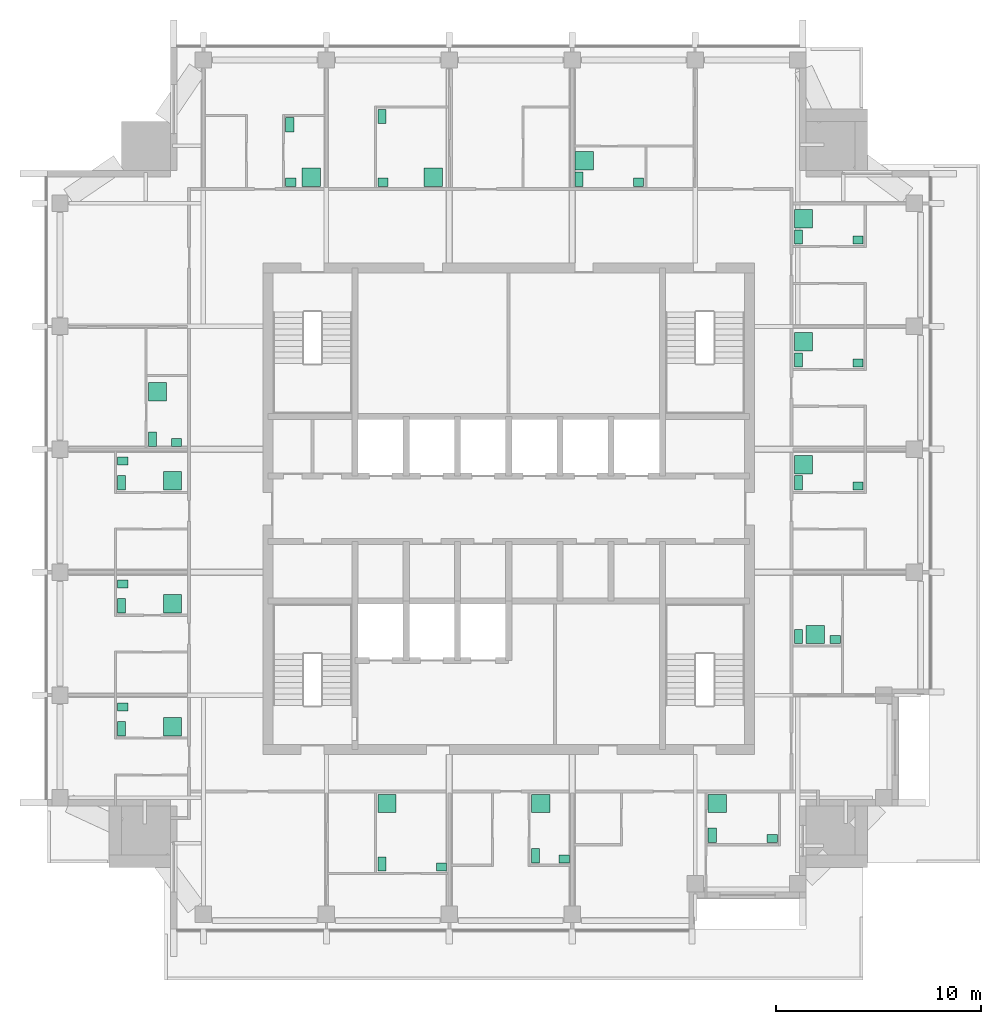
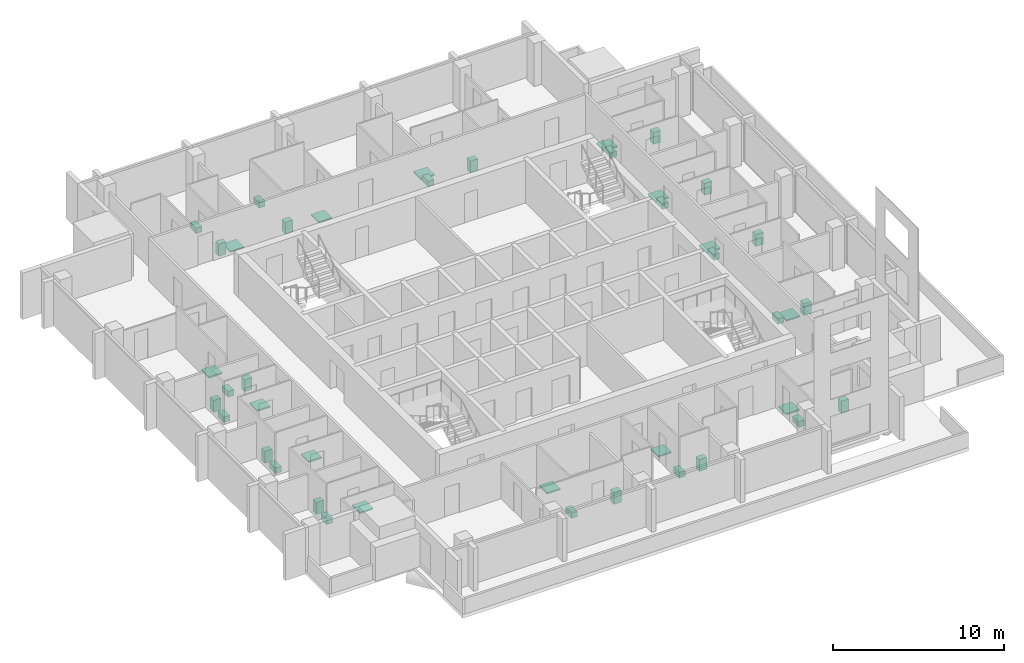
# One storey, part 11 of 11: 42 sanitary terminals.
"""IFC4 building model written with IfcOpenShell, lengths in metres."""

from ifc_helpers import new_model, si_unit, direction, frame, origin, origin_2d, place, context, subcontext, project, spatial, rectangle, extrude, element, save


model = new_model("IFC4")

# Units and contexts
model_context = context("Model", 3, precision=1e-05, world=origin(), true_north=direction((0.0, 1.0)))
body_context = subcontext(model_context, "Body", "Model", "MODEL_VIEW")
ifc_project = project(units=[si_unit("LENGTHUNIT", "METRE"), si_unit("AREAUNIT", "SQUARE_METRE"), si_unit("VOLUMEUNIT", "CUBIC_METRE"), si_unit("PLANEANGLEUNIT", "RADIAN"), si_unit("MASSUNIT", "GRAM", prefix="KILO")], contexts=[model_context])

# Site, building, storey
site_placement = place(None, origin())
site = spatial("IfcSite", under=ifc_project, at=site_placement, CompositionType="ELEMENT")
building_placement = place(site_placement, origin())
building = spatial("IfcBuilding", under=site, at=building_placement, Name="Amberfall Residences", CompositionType="ELEMENT")
storey_placement = place(building_placement, frame((0.0, 0.0, 238.89990234375)))
storey = spatial("IfcBuildingStorey", under=building, at=storey_placement, Name="L63", CompositionType="ELEMENT", Elevation=238.89990234375)

# Sanitary terminals
sanitary_terminal_1_placement = place(storey_placement, frame((68.31005859375, 28.159912109375, 0.000244140625), z_axis=(0.0, 0.0, 1.0), x_axis=(1.0, 0.0, 0.0)))
element("IfcSanitaryTerminal", 1, at=sanitary_terminal_1_placement, inside=storey, Name="Water closet 6301", PredefinedType="TOILETPAN", context=body_context, shape_type="SweptSolid", body=[
    extrude(rectangle(XDim=0.39990234375, YDim=0.699951171875, at=origin_2d()), origin(), (0.0, 0.0, 1.0), 0.39990234375),
])
sanitary_terminal_2_placement = place(storey_placement, frame((71.215087890625, 28.010009765625, 0.0), z_axis=(0.0, 0.0, 1.0), x_axis=(1.0, 0.0, 0.0)))
element("IfcSanitaryTerminal", 2, at=sanitary_terminal_2_placement, inside=storey, Name="Basin 6301", PredefinedType="WASHHANDBASIN", context=body_context, shape_type="SweptSolid", body=[
    extrude(rectangle(XDim=0.5, YDim=0.39990234375, at=origin_2d()), origin(), (0.0, 0.0, 1.0), 0.85009765625),
])
sanitary_terminal_3_placement = place(storey_placement, frame((68.56005859375, 31.114990234375, 0.0), z_axis=(0.0, 0.0, 1.0), x_axis=(1.0, 0.0, 0.0)))
element("IfcSanitaryTerminal", 3, at=sanitary_terminal_3_placement, inside=storey, Name="Shower tray 6301", PredefinedType="SHOWER", context=body_context, shape_type="SweptSolid", body=[
    extrude(rectangle(XDim=0.89990234375, YDim=0.89990234375, at=origin_2d()), origin(), (0.0, 0.0, 1.0), 0.10009765625),
])
sanitary_terminal_4_placement = place(storey_placement, frame((75.81005859375, 28.56005859375, 0.000244140625), z_axis=(0.0, 0.0, 1.0), x_axis=(1.0, 0.0, 0.0)))
element("IfcSanitaryTerminal", 4, at=sanitary_terminal_4_placement, inside=storey, Name="Water closet 6302", PredefinedType="TOILETPAN", context=body_context, shape_type="SweptSolid", body=[
    extrude(rectangle(XDim=0.39990234375, YDim=0.699951171875, at=origin_2d()), origin(), (0.0, 0.0, 1.0), 0.39990234375),
])
sanitary_terminal_5_placement = place(storey_placement, frame((77.215087890625, 28.409912109375, 0.0), z_axis=(0.0, 0.0, 1.0), x_axis=(1.0, 0.0, 0.0)))
element("IfcSanitaryTerminal", 5, at=sanitary_terminal_5_placement, inside=storey, Name="Basin 6302", PredefinedType="WASHHANDBASIN", context=body_context, shape_type="SweptSolid", body=[
    extrude(rectangle(XDim=0.5, YDim=0.39990234375, at=origin_2d()), origin(), (0.0, 0.0, 1.0), 0.85009765625),
])
sanitary_terminal_6_placement = place(storey_placement, frame((76.06005859375, 31.114990234375, 0.0), z_axis=(0.0, 0.0, 1.0), x_axis=(1.0, 0.0, 0.0)))
element("IfcSanitaryTerminal", 6, at=sanitary_terminal_6_placement, inside=storey, Name="Shower tray 6302", PredefinedType="SHOWER", context=body_context, shape_type="SweptSolid", body=[
    extrude(rectangle(XDim=0.89990234375, YDim=0.89990234375, at=origin_2d()), origin(), (0.0, 0.0, 1.0), 0.10009765625),
])
sanitary_terminal_7_placement = place(storey_placement, frame((84.43505859375, 29.56005859375, 0.000244140625), z_axis=(0.0, 0.0, 1.0), x_axis=(1.0, 0.0, 0.0)))
element("IfcSanitaryTerminal", 7, at=sanitary_terminal_7_placement, inside=storey, Name="Water closet 6303", PredefinedType="TOILETPAN", context=body_context, shape_type="SweptSolid", body=[
    extrude(rectangle(XDim=0.39990234375, YDim=0.699951171875, at=origin_2d()), origin(), (0.0, 0.0, 1.0), 0.39990234375),
])
sanitary_terminal_8_placement = place(storey_placement, frame((87.364990234375, 29.409912109375, 0.0), z_axis=(0.0, 0.0, 1.0), x_axis=(1.0, 0.0, 0.0)))
element("IfcSanitaryTerminal", 8, at=sanitary_terminal_8_placement, inside=storey, Name="Basin 6303", PredefinedType="WASHHANDBASIN", context=body_context, shape_type="SweptSolid", body=[
    extrude(rectangle(XDim=0.5, YDim=0.39990234375, at=origin_2d()), origin(), (0.0, 0.0, 1.0), 0.85009765625),
])
sanitary_terminal_9_placement = place(storey_placement, frame((84.68505859375, 31.114990234375, 0.0), z_axis=(0.0, 0.0, 1.0), x_axis=(1.0, 0.0, 0.0)))
element("IfcSanitaryTerminal", 9, at=sanitary_terminal_9_placement, inside=storey, Name="Shower tray 6303", PredefinedType="SHOWER", context=body_context, shape_type="SweptSolid", body=[
    extrude(rectangle(XDim=0.89990234375, YDim=0.89990234375, at=origin_2d()), origin(), (0.0, 0.0, 1.0), 0.10009765625),
])
sanitary_terminal_10_placement = place(storey_placement, frame((88.635009765625, 39.260009765625, 0.000244140625), z_axis=(0.0, 0.0, 1.0), x_axis=(1.0, 0.0, 0.0)))
element("IfcSanitaryTerminal", 10, at=sanitary_terminal_10_placement, inside=storey, Name="Water closet 6304", PredefinedType="TOILETPAN", context=body_context, shape_type="SweptSolid", body=[
    extrude(rectangle(XDim=0.39990234375, YDim=0.699951171875, at=origin_2d()), origin(), (0.0, 0.0, 1.0), 0.39990234375),
])
sanitary_terminal_11_placement = place(storey_placement, frame((90.43994140625, 39.110107421875, 0.0), z_axis=(0.0, 0.0, 1.0), x_axis=(1.0, 0.0, 0.0)))
element("IfcSanitaryTerminal", 11, at=sanitary_terminal_11_placement, inside=storey, Name="Basin 6304", PredefinedType="WASHHANDBASIN", context=body_context, shape_type="SweptSolid", body=[
    extrude(rectangle(XDim=0.5, YDim=0.39990234375, at=origin_2d()), origin(), (0.0, 0.0, 1.0), 0.85009765625),
])
sanitary_terminal_12_placement = place(storey_placement, frame((89.4658203125, 39.360107421875, 0.0), z_axis=(0.0, 0.0, 1.0), x_axis=(1.0, 0.0, 0.0)))
element("IfcSanitaryTerminal", 12, at=sanitary_terminal_12_placement, inside=storey, Name="Shower tray 6304", PredefinedType="SHOWER", context=body_context, shape_type="SweptSolid", body=[
    extrude(rectangle(XDim=0.89990234375, YDim=0.89990234375, at=origin_2d()), origin(), (0.0, 0.0, 1.0), 0.10009765625),
])
sanitary_terminal_13_placement = place(storey_placement, frame((88.635009765625, 46.760009765625, 0.000244140625), z_axis=(0.0, 0.0, 1.0), x_axis=(1.0, 0.0, 0.0)))
element("IfcSanitaryTerminal", 13, at=sanitary_terminal_13_placement, inside=storey, Name="Water closet 6305", PredefinedType="TOILETPAN", context=body_context, shape_type="SweptSolid", body=[
    extrude(rectangle(XDim=0.39990234375, YDim=0.699951171875, at=origin_2d()), origin(), (0.0, 0.0, 1.0), 0.39990234375),
])
sanitary_terminal_14_placement = place(storey_placement, frame((91.5400390625, 46.610107421875, 0.0), z_axis=(0.0, 0.0, 1.0), x_axis=(1.0, 0.0, 0.0)))
element("IfcSanitaryTerminal", 14, at=sanitary_terminal_14_placement, inside=storey, Name="Basin 6305", PredefinedType="WASHHANDBASIN", context=body_context, shape_type="SweptSolid", body=[
    extrude(rectangle(XDim=0.5, YDim=0.39990234375, at=origin_2d()), origin(), (0.0, 0.0, 1.0), 0.85009765625),
])
sanitary_terminal_15_placement = place(storey_placement, frame((88.885009765625, 47.65576171875, 0.0), z_axis=(0.0, 0.0, 1.0), x_axis=(1.0, 0.0, 0.0)))
element("IfcSanitaryTerminal", 15, at=sanitary_terminal_15_placement, inside=storey, Name="Shower tray 6305", PredefinedType="SHOWER", context=body_context, shape_type="SweptSolid", body=[
    extrude(rectangle(XDim=0.89990234375, YDim=0.89990234375, at=origin_2d()), origin(), (0.0, 0.0, 1.0), 0.10009765625),
])
sanitary_terminal_16_placement = place(storey_placement, frame((88.635009765625, 52.760009765625, 0.000244140625), z_axis=(0.0, 0.0, 1.0), x_axis=(1.0, 0.0, 0.0)))
element("IfcSanitaryTerminal", 16, at=sanitary_terminal_16_placement, inside=storey, Name="Water closet 6306", PredefinedType="TOILETPAN", context=body_context, shape_type="SweptSolid", body=[
    extrude(rectangle(XDim=0.39990234375, YDim=0.699951171875, at=origin_2d()), origin(), (0.0, 0.0, 1.0), 0.39990234375),
])
sanitary_terminal_17_placement = place(storey_placement, frame((91.5400390625, 52.610107421875, 0.0), z_axis=(0.0, 0.0, 1.0), x_axis=(1.0, 0.0, 0.0)))
element("IfcSanitaryTerminal", 17, at=sanitary_terminal_17_placement, inside=storey, Name="Basin 6306", PredefinedType="WASHHANDBASIN", context=body_context, shape_type="SweptSolid", body=[
    extrude(rectangle(XDim=0.5, YDim=0.39990234375, at=origin_2d()), origin(), (0.0, 0.0, 1.0), 0.85009765625),
])
sanitary_terminal_18_placement = place(storey_placement, frame((88.885009765625, 53.65576171875, 0.0), z_axis=(0.0, 0.0, 1.0), x_axis=(1.0, 0.0, 0.0)))
element("IfcSanitaryTerminal", 18, at=sanitary_terminal_18_placement, inside=storey, Name="Shower tray 6306", PredefinedType="SHOWER", context=body_context, shape_type="SweptSolid", body=[
    extrude(rectangle(XDim=0.89990234375, YDim=0.89990234375, at=origin_2d()), origin(), (0.0, 0.0, 1.0), 0.10009765625),
])
sanitary_terminal_19_placement = place(storey_placement, frame((88.635009765625, 58.760009765625, 0.000244140625), z_axis=(0.0, 0.0, 1.0), x_axis=(1.0, 0.0, 0.0)))
element("IfcSanitaryTerminal", 19, at=sanitary_terminal_19_placement, inside=storey, Name="Water closet 6307", PredefinedType="TOILETPAN", context=body_context, shape_type="SweptSolid", body=[
    extrude(rectangle(XDim=0.39990234375, YDim=0.699951171875, at=origin_2d()), origin(), (0.0, 0.0, 1.0), 0.39990234375),
])
sanitary_terminal_20_placement = place(storey_placement, frame((91.5400390625, 58.610107421875, 0.0), z_axis=(0.0, 0.0, 1.0), x_axis=(1.0, 0.0, 0.0)))
element("IfcSanitaryTerminal", 20, at=sanitary_terminal_20_placement, inside=storey, Name="Basin 6307", PredefinedType="WASHHANDBASIN", context=body_context, shape_type="SweptSolid", body=[
    extrude(rectangle(XDim=0.5, YDim=0.39990234375, at=origin_2d()), origin(), (0.0, 0.0, 1.0), 0.85009765625),
])
sanitary_terminal_21_placement = place(storey_placement, frame((88.885009765625, 59.65576171875, 0.0), z_axis=(0.0, 0.0, 1.0), x_axis=(1.0, 0.0, 0.0)))
element("IfcSanitaryTerminal", 21, at=sanitary_terminal_21_placement, inside=storey, Name="Shower tray 6307", PredefinedType="SHOWER", context=body_context, shape_type="SweptSolid", body=[
    extrude(rectangle(XDim=0.89990234375, YDim=0.89990234375, at=origin_2d()), origin(), (0.0, 0.0, 1.0), 0.10009765625),
])
sanitary_terminal_22_placement = place(storey_placement, frame((63.81005859375, 64.239990234375, 0.000244140625), z_axis=(0.0, 0.0, 1.0), x_axis=(1.0, 0.0, 0.0)))
element("IfcSanitaryTerminal", 22, at=sanitary_terminal_22_placement, inside=storey, Name="Water closet 6308", PredefinedType="TOILETPAN", context=body_context, shape_type="SweptSolid", body=[
    extrude(rectangle(XDim=0.39990234375, YDim=0.699951171875, at=origin_2d()), origin(), (0.0, 0.0, 1.0), 0.39990234375),
])
sanitary_terminal_23_placement = place(storey_placement, frame((63.860107421875, 61.43505859375, 0.0), z_axis=(0.0, 0.0, 1.0), x_axis=(1.0, 0.0, 0.0)))
element("IfcSanitaryTerminal", 23, at=sanitary_terminal_23_placement, inside=storey, Name="Basin 6308", PredefinedType="WASHHANDBASIN", context=body_context, shape_type="SweptSolid", body=[
    extrude(rectangle(XDim=0.5, YDim=0.39990234375, at=origin_2d()), origin(), (0.0, 0.0, 1.0), 0.85009765625),
])
sanitary_terminal_24_placement = place(storey_placement, frame((64.855712890625, 61.68505859375, 0.0), z_axis=(0.0, 0.0, 1.0), x_axis=(1.0, 0.0, 0.0)))
element("IfcSanitaryTerminal", 24, at=sanitary_terminal_24_placement, inside=storey, Name="Shower tray 6308", PredefinedType="SHOWER", context=body_context, shape_type="SweptSolid", body=[
    extrude(rectangle(XDim=0.89990234375, YDim=0.89990234375, at=origin_2d()), origin(), (0.0, 0.0, 1.0), 0.10009765625),
])
sanitary_terminal_25_placement = place(storey_placement, frame((68.31005859375, 64.639892578125, 0.000244140625), z_axis=(0.0, 0.0, 1.0), x_axis=(1.0, 0.0, 0.0)))
element("IfcSanitaryTerminal", 25, at=sanitary_terminal_25_placement, inside=storey, Name="Water closet 6309", PredefinedType="TOILETPAN", context=body_context, shape_type="SweptSolid", body=[
    extrude(rectangle(XDim=0.39990234375, YDim=0.699951171875, at=origin_2d()), origin(), (0.0, 0.0, 1.0), 0.39990234375),
])
sanitary_terminal_26_placement = place(storey_placement, frame((68.360107421875, 61.43505859375, 0.0), z_axis=(0.0, 0.0, 1.0), x_axis=(1.0, 0.0, 0.0)))
element("IfcSanitaryTerminal", 26, at=sanitary_terminal_26_placement, inside=storey, Name="Basin 6309", PredefinedType="WASHHANDBASIN", context=body_context, shape_type="SweptSolid", body=[
    extrude(rectangle(XDim=0.5, YDim=0.39990234375, at=origin_2d()), origin(), (0.0, 0.0, 1.0), 0.85009765625),
])
sanitary_terminal_27_placement = place(storey_placement, frame((70.814453125, 61.68505859375, 0.0), z_axis=(0.0, 0.0, 1.0), x_axis=(1.0, 0.0, 0.0)))
element("IfcSanitaryTerminal", 27, at=sanitary_terminal_27_placement, inside=storey, Name="Shower tray 6309", PredefinedType="SHOWER", context=body_context, shape_type="SweptSolid", body=[
    extrude(rectangle(XDim=0.89990234375, YDim=0.89990234375, at=origin_2d()), origin(), (0.0, 0.0, 1.0), 0.10009765625),
])
sanitary_terminal_28_placement = place(storey_placement, frame((77.93505859375, 61.5849609375, 0.000244140625), z_axis=(0.0, 0.0, 1.0), x_axis=(1.0, 0.0, 0.0)))
element("IfcSanitaryTerminal", 28, at=sanitary_terminal_28_placement, inside=storey, Name="Water closet 6310", PredefinedType="TOILETPAN", context=body_context, shape_type="SweptSolid", body=[
    extrude(rectangle(XDim=0.39990234375, YDim=0.699951171875, at=origin_2d()), origin(), (0.0, 0.0, 1.0), 0.39990234375),
])
sanitary_terminal_29_placement = place(storey_placement, frame((80.840087890625, 61.43505859375, 0.0), z_axis=(0.0, 0.0, 1.0), x_axis=(1.0, 0.0, 0.0)))
element("IfcSanitaryTerminal", 29, at=sanitary_terminal_29_placement, inside=storey, Name="Basin 6310", PredefinedType="WASHHANDBASIN", context=body_context, shape_type="SweptSolid", body=[
    extrude(rectangle(XDim=0.5, YDim=0.39990234375, at=origin_2d()), origin(), (0.0, 0.0, 1.0), 0.85009765625),
])
sanitary_terminal_30_placement = place(storey_placement, frame((78.18505859375, 62.480712890625, 0.0), z_axis=(0.0, 0.0, 1.0), x_axis=(1.0, 0.0, 0.0)))
element("IfcSanitaryTerminal", 30, at=sanitary_terminal_30_placement, inside=storey, Name="Shower tray 6310", PredefinedType="SHOWER", context=body_context, shape_type="SweptSolid", body=[
    extrude(rectangle(XDim=0.89990234375, YDim=0.89990234375, at=origin_2d()), origin(), (0.0, 0.0, 1.0), 0.10009765625),
])
sanitary_terminal_31_placement = place(storey_placement, frame((55.610107421875, 34.760009765625, 0.000244140625), z_axis=(0.0, 0.0, 1.0), x_axis=(1.0, 0.0, 0.0)))
element("IfcSanitaryTerminal", 31, at=sanitary_terminal_31_placement, inside=storey, Name="Water closet 6311", PredefinedType="TOILETPAN", context=body_context, shape_type="SweptSolid", body=[
    extrude(rectangle(XDim=0.39990234375, YDim=0.699951171875, at=origin_2d()), origin(), (0.0, 0.0, 1.0), 0.39990234375),
])
sanitary_terminal_32_placement = place(storey_placement, frame((55.659912109375, 35.822509765625, 0.0), z_axis=(0.0, 0.0, 1.0), x_axis=(1.0, 0.0, 0.0)))
element("IfcSanitaryTerminal", 32, at=sanitary_terminal_32_placement, inside=storey, Name="Basin 6311", PredefinedType="WASHHANDBASIN", context=body_context, shape_type="SweptSolid", body=[
    extrude(rectangle(XDim=0.5, YDim=0.39990234375, at=origin_2d()), origin(), (0.0, 0.0, 1.0), 0.85009765625),
])
sanitary_terminal_33_placement = place(storey_placement, frame((58.091796875, 34.860107421875, 0.0), z_axis=(0.0, 0.0, 1.0), x_axis=(1.0, 0.0, 0.0)))
element("IfcSanitaryTerminal", 33, at=sanitary_terminal_33_placement, inside=storey, Name="Shower tray 6311", PredefinedType="SHOWER", context=body_context, shape_type="SweptSolid", body=[
    extrude(rectangle(XDim=0.89990234375, YDim=0.89990234375, at=origin_2d()), origin(), (0.0, 0.0, 1.0), 0.10009765625),
])
sanitary_terminal_34_placement = place(storey_placement, frame((55.610107421875, 40.760009765625, 0.000244140625), z_axis=(0.0, 0.0, 1.0), x_axis=(1.0, 0.0, 0.0)))
element("IfcSanitaryTerminal", 34, at=sanitary_terminal_34_placement, inside=storey, Name="Water closet 6312", PredefinedType="TOILETPAN", context=body_context, shape_type="SweptSolid", body=[
    extrude(rectangle(XDim=0.39990234375, YDim=0.699951171875, at=origin_2d()), origin(), (0.0, 0.0, 1.0), 0.39990234375),
])
sanitary_terminal_35_placement = place(storey_placement, frame((55.659912109375, 41.822509765625, 0.0), z_axis=(0.0, 0.0, 1.0), x_axis=(1.0, 0.0, 0.0)))
element("IfcSanitaryTerminal", 35, at=sanitary_terminal_35_placement, inside=storey, Name="Basin 6312", PredefinedType="WASHHANDBASIN", context=body_context, shape_type="SweptSolid", body=[
    extrude(rectangle(XDim=0.5, YDim=0.39990234375, at=origin_2d()), origin(), (0.0, 0.0, 1.0), 0.85009765625),
])
sanitary_terminal_36_placement = place(storey_placement, frame((58.091796875, 40.860107421875, 0.0), z_axis=(0.0, 0.0, 1.0), x_axis=(1.0, 0.0, 0.0)))
element("IfcSanitaryTerminal", 36, at=sanitary_terminal_36_placement, inside=storey, Name="Shower tray 6312", PredefinedType="SHOWER", context=body_context, shape_type="SweptSolid", body=[
    extrude(rectangle(XDim=0.89990234375, YDim=0.89990234375, at=origin_2d()), origin(), (0.0, 0.0, 1.0), 0.10009765625),
])
sanitary_terminal_37_placement = place(storey_placement, frame((55.610107421875, 46.760009765625, 0.000244140625), z_axis=(0.0, 0.0, 1.0), x_axis=(1.0, 0.0, 0.0)))
element("IfcSanitaryTerminal", 37, at=sanitary_terminal_37_placement, inside=storey, Name="Water closet 6313", PredefinedType="TOILETPAN", context=body_context, shape_type="SweptSolid", body=[
    extrude(rectangle(XDim=0.39990234375, YDim=0.699951171875, at=origin_2d()), origin(), (0.0, 0.0, 1.0), 0.39990234375),
])
sanitary_terminal_38_placement = place(storey_placement, frame((55.659912109375, 47.822509765625, 0.0), z_axis=(0.0, 0.0, 1.0), x_axis=(1.0, 0.0, 0.0)))
element("IfcSanitaryTerminal", 38, at=sanitary_terminal_38_placement, inside=storey, Name="Basin 6313", PredefinedType="WASHHANDBASIN", context=body_context, shape_type="SweptSolid", body=[
    extrude(rectangle(XDim=0.5, YDim=0.39990234375, at=origin_2d()), origin(), (0.0, 0.0, 1.0), 0.85009765625),
])
sanitary_terminal_39_placement = place(storey_placement, frame((58.091796875, 46.860107421875, 0.0), z_axis=(0.0, 0.0, 1.0), x_axis=(1.0, 0.0, 0.0)))
element("IfcSanitaryTerminal", 39, at=sanitary_terminal_39_placement, inside=storey, Name="Shower tray 6313", PredefinedType="SHOWER", context=body_context, shape_type="SweptSolid", body=[
    extrude(rectangle(XDim=0.89990234375, YDim=0.89990234375, at=origin_2d()), origin(), (0.0, 0.0, 1.0), 0.10009765625),
])
sanitary_terminal_40_placement = place(storey_placement, frame((57.110107421875, 48.885009765625, 0.000244140625), z_axis=(0.0, 0.0, 1.0), x_axis=(1.0, 0.0, 0.0)))
element("IfcSanitaryTerminal", 40, at=sanitary_terminal_40_placement, inside=storey, Name="Water closet 6314", PredefinedType="TOILETPAN", context=body_context, shape_type="SweptSolid", body=[
    extrude(rectangle(XDim=0.39990234375, YDim=0.699951171875, at=origin_2d()), origin(), (0.0, 0.0, 1.0), 0.39990234375),
])
sanitary_terminal_41_placement = place(storey_placement, frame((58.2890625, 48.735107421875, 0.0), z_axis=(0.0, 0.0, 1.0), x_axis=(1.0, 0.0, 0.0)))
element("IfcSanitaryTerminal", 41, at=sanitary_terminal_41_placement, inside=storey, Name="Basin 6314", PredefinedType="WASHHANDBASIN", context=body_context, shape_type="SweptSolid", body=[
    extrude(rectangle(XDim=0.5, YDim=0.39990234375, at=origin_2d()), origin(), (0.0, 0.0, 1.0), 0.85009765625),
])
sanitary_terminal_42_placement = place(storey_placement, frame((57.360107421875, 51.216796875, 0.0), z_axis=(0.0, 0.0, 1.0), x_axis=(1.0, 0.0, 0.0)))
element("IfcSanitaryTerminal", 42, at=sanitary_terminal_42_placement, inside=storey, Name="Shower tray 6314", PredefinedType="SHOWER", context=body_context, shape_type="SweptSolid", body=[
    extrude(rectangle(XDim=0.89990234375, YDim=0.89990234375, at=origin_2d()), origin(), (0.0, 0.0, 1.0), 0.10009765625),
])

save(model, "model.ifc")
